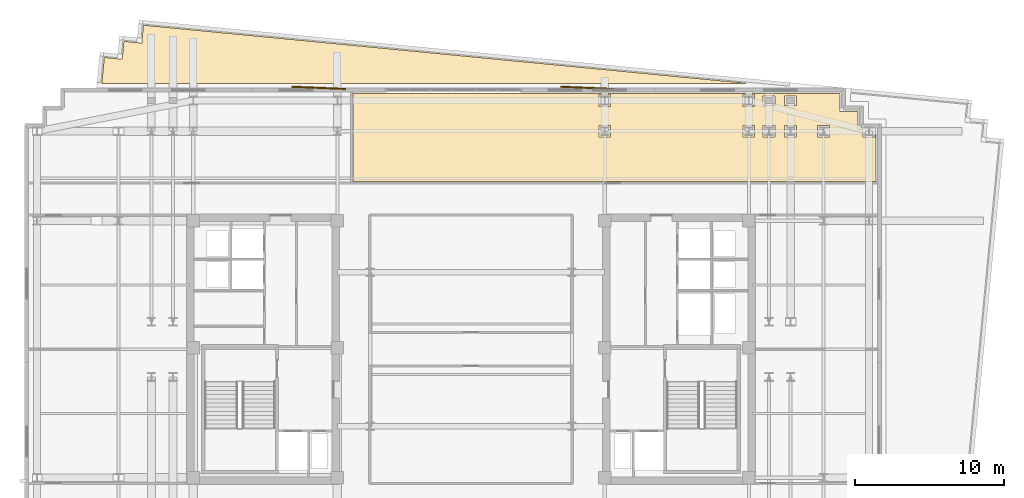
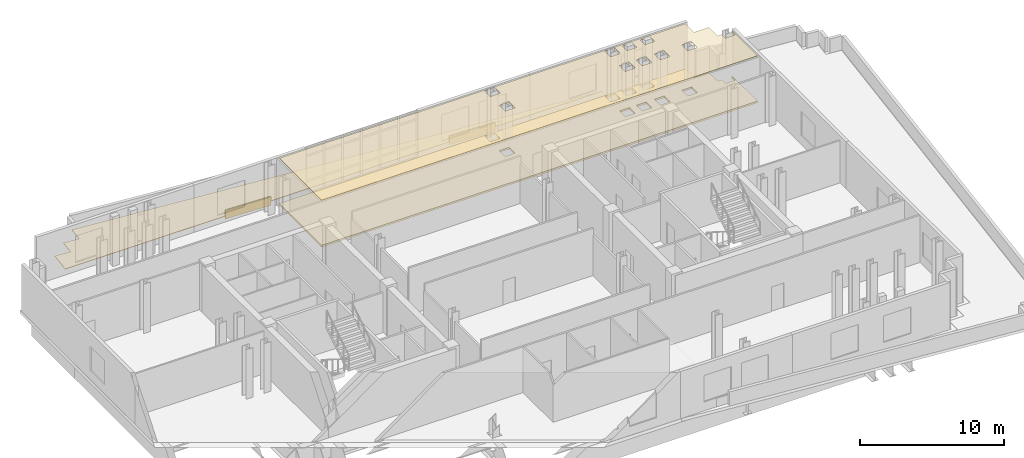
# One storey, part 11 of 11: 5 coverings.
"""IFC4 building model written with IfcOpenShell, lengths in metres."""

from ifc_helpers import new_model, si_unit, direction, frame, origin, origin_2d, place, context, subcontext, project, spatial, polyline, rectangle, outline, extrude, material, layer, layer_set, type_object, element, save


model = new_model("IFC4")

# Units and contexts
model_context = context("Model", 3, precision=1e-05, world=origin(), true_north=direction((0.0, 1.0)))
body_context = subcontext(model_context, "Body", "Model", "MODEL_VIEW")
ifc_project = project(units=[si_unit("LENGTHUNIT", "METRE"), si_unit("AREAUNIT", "SQUARE_METRE"), si_unit("VOLUMEUNIT", "CUBIC_METRE"), si_unit("PLANEANGLEUNIT", "RADIAN"), si_unit("MASSUNIT", "GRAM", prefix="KILO")], contexts=[model_context])

# Site, building, storey
site_placement = place(None, origin())
site = spatial("IfcSite", under=ifc_project, at=site_placement, CompositionType="ELEMENT")
building_placement = place(site_placement, origin())
building = spatial("IfcBuilding", under=site, at=building_placement, Name="Velakula Bourse", CompositionType="ELEMENT")
storey_placement = place(building_placement, frame((0.0, 0.0, 204.300048828125)))
storey = spatial("IfcBuildingStorey", under=building, at=storey_placement, Name="L55", CompositionType="ELEMENT", Elevation=204.300048828125)

# Coverings
ifc_material_1 = material(Name="Red kilned clay facing brick masonry", Category="masonry")
ifc_layer_1 = layer(ifc_material_1, 0.090087890625, Name="Red kilned clay facing brick masonry", Category="masonry")
ifc_layer_set_1 = layer_set([ifc_layer_1], Name="Red kilned clay facing brick masonry")
covering_type_1 = type_object("IfcCoveringType", Name="COV-BRK-FOLD-90", PredefinedType="CLADDING", material=ifc_layer_set_1)
for number, where, z_axis, x_axis, name in (
    (1, (-10.199951171875, 17.5, 0.0), (0.0, 0.0, 1.0), (0.999158993058, -0.041003738744, 0.0), "L55 Folded Brick Facade Cladding Panel N-B2"),
    (2, (7.800048828125, 17.5, 0.0), (0.0, 0.0, 1.0), (0.999158993058, -0.041003738744, 0.0), "L55 Folded Brick Facade Cladding Panel N-B4"),
):
    element("IfcCovering", number, at=place(storey_placement, frame(where, z_axis=z_axis, x_axis=x_axis)), inside=storey, type_object=covering_type_1, Name=name, PredefinedType="CLADDING", context=body_context, shape_type="SweptSolid", body=[
        extrude(rectangle(XDim=3.60009765625, YDim=0.090087890625, at=origin_2d()), origin(), (0.0, 0.0, 1.0), 0.719970703125),
    ])
ifc_material_2 = material(Name="Mineral-fibre acoustic suspended ceiling tile", Category="mineral")
ifc_layer_2 = layer(ifc_material_2, 0.0400390625, Name="Mineral-fibre acoustic suspended ceiling tile", Category="mineral")
ifc_layer_set_2 = layer_set([ifc_layer_2], Name="Mineral-fibre acoustic suspended ceiling tile")
covering_type_2 = type_object("IfcCoveringType", Name="COV-CEIL-AC-40", PredefinedType="CEILING", material=ifc_layer_set_2)
covering_1_placement = place(storey_placement, frame((0.0, 0.0, 3.949951171875)))
element("IfcCovering", 3, at=covering_1_placement, inside=storey, type_object=covering_type_2, Name="L55 Training Classroom Acoustic Suspended Ceiling", PredefinedType="CEILING", context=body_context, shape_type="SweptSolid", body=[
    extrude(outline(polyline([(24.719970703125, 15.919921875), (25.919921875, 15.919921875), (25.919921875, 14.719970703125), (26.2548828125, 14.719970703125), (26.2548828125, 14.205078125), (27.044921875, 14.205078125), (27.044921875, 14.719970703125), (27.1201171875, 14.719970703125), (27.1201171875, 11.22998046875), (-7.906005859375, 11.22998046875), (-7.906005859375, 17.1201171875), (24.719970703125, 17.1201171875), (24.719970703125, 15.919921875)]), holes=[polyline([(8.554931640625, 14.205078125), (9.344970703125, 14.205078125), (9.344970703125, 14.9951171875), (8.554931640625, 14.9951171875), (8.554931640625, 14.205078125)]), polyline([(18.205078125, 14.9951171875), (18.205078125, 14.205078125), (18.9951171875, 14.205078125), (18.9951171875, 14.9951171875), (18.205078125, 14.9951171875)]), polyline([(8.554931640625, 16.2548828125), (9.344970703125, 16.2548828125), (9.344970703125, 17.044921875), (8.554931640625, 17.044921875), (8.554931640625, 16.2548828125)]), polyline([(21.0048828125, 14.205078125), (21.794921875, 14.205078125), (21.794921875, 14.9951171875), (21.0048828125, 14.9951171875), (21.0048828125, 14.205078125)]), polyline([(23.205078125, 14.205078125), (23.9951171875, 14.205078125), (23.9951171875, 14.9951171875), (23.205078125, 14.9951171875), (23.205078125, 14.205078125)]), polyline([(19.554931640625, 14.205078125), (20.344970703125, 14.205078125), (20.344970703125, 14.9951171875), (19.554931640625, 14.9951171875), (19.554931640625, 14.205078125)]), polyline([(19.554931640625, 16.330078125), (20.344970703125, 16.330078125), (20.344970703125, 16.969970703125), (19.554931640625, 16.969970703125), (19.554931640625, 16.330078125)]), polyline([(18.205078125, 17.044921875), (18.205078125, 16.2548828125), (18.9951171875, 16.2548828125), (18.9951171875, 17.044921875), (18.205078125, 17.044921875)]), polyline([(21.0048828125, 16.969970703125), (21.0048828125, 16.330078125), (21.794921875, 16.330078125), (21.794921875, 16.969970703125), (21.0048828125, 16.969970703125)])]), origin(), (0.0, 0.0, 1.0), 0.0400390625),
])
ifc_material_3 = material(Name="Calcium-sulphate antistatic raised access flooring", Category="gypsum")
ifc_layer_3 = layer(ifc_material_3, 0.14990234375, Name="Calcium-sulphate antistatic raised access flooring", Category="gypsum")
ifc_layer_set_3 = layer_set([ifc_layer_3], Name="Calcium-sulphate antistatic raised access flooring")
covering_type_3 = type_object("IfcCoveringType", Name="COV-FLR-RAISED-150", PredefinedType="FLOORING", material=ifc_layer_set_3)
covering_2_placement = place(storey_placement, origin())
element("IfcCovering", 4, at=covering_2_placement, inside=storey, type_object=covering_type_3, Name="L55 Training Classroom Raised Trading Access Floor", PredefinedType="FLOORING", context=body_context, shape_type="SweptSolid", body=[
    extrude(outline(polyline([(24.719970703125, 15.919921875), (25.919921875, 15.919921875), (25.919921875, 14.719970703125), (26.2548828125, 14.719970703125), (26.2548828125, 14.205078125), (27.044921875, 14.205078125), (27.044921875, 14.719970703125), (27.1201171875, 14.719970703125), (27.1201171875, 11.22998046875), (-7.906005859375, 11.22998046875), (-7.906005859375, 17.1201171875), (24.719970703125, 17.1201171875), (24.719970703125, 15.919921875)]), holes=[polyline([(8.554931640625, 14.205078125), (9.344970703125, 14.205078125), (9.344970703125, 14.9951171875), (8.554931640625, 14.9951171875), (8.554931640625, 14.205078125)]), polyline([(18.205078125, 14.9951171875), (18.205078125, 14.205078125), (18.9951171875, 14.205078125), (18.9951171875, 14.9951171875), (18.205078125, 14.9951171875)]), polyline([(8.554931640625, 16.2548828125), (9.344970703125, 16.2548828125), (9.344970703125, 17.044921875), (8.554931640625, 17.044921875), (8.554931640625, 16.2548828125)]), polyline([(21.0048828125, 14.205078125), (21.794921875, 14.205078125), (21.794921875, 14.9951171875), (21.0048828125, 14.9951171875), (21.0048828125, 14.205078125)]), polyline([(23.205078125, 14.205078125), (23.9951171875, 14.205078125), (23.9951171875, 14.9951171875), (23.205078125, 14.9951171875), (23.205078125, 14.205078125)]), polyline([(19.554931640625, 14.205078125), (20.344970703125, 14.205078125), (20.344970703125, 14.9951171875), (19.554931640625, 14.9951171875), (19.554931640625, 14.205078125)]), polyline([(19.554931640625, 16.330078125), (20.344970703125, 16.330078125), (20.344970703125, 16.969970703125), (19.554931640625, 16.969970703125), (19.554931640625, 16.330078125)]), polyline([(18.205078125, 17.044921875), (18.205078125, 16.2548828125), (18.9951171875, 16.2548828125), (18.9951171875, 17.044921875), (18.205078125, 17.044921875)]), polyline([(21.0048828125, 16.969970703125), (21.0048828125, 16.330078125), (21.794921875, 16.330078125), (21.794921875, 16.969970703125), (21.0048828125, 16.969970703125)])]), origin(), (0.0, 0.0, 1.0), 0.14990234375),
])
ifc_material_4 = material(Name="Modified bitumen SBS waterproofing membrane", Category="bitumen")
ifc_layer_4 = layer(ifc_material_4, 0.044921875, Name="Modified bitumen SBS waterproofing membrane", Category="bitumen")
ifc_layer_set_4 = layer_set([ifc_layer_4], Name="Modified bitumen SBS waterproofing membrane")
covering_type_4 = type_object("IfcCoveringType", Name="COV-ROOF-SBS-45", PredefinedType="ROOFING", material=ifc_layer_set_4)
covering_3_placement = place(storey_placement, origin())
element("IfcCovering", 5, at=covering_3_placement, inside=storey, type_object=covering_type_4, Name="L55 SBS Waterproofing Roof Membrane 1", PredefinedType="ROOFING", context=body_context, shape_type="SweptSolid", body=[
    extrude(outline(polyline([(-24.547607421875, 19.53662109375), (-23.35302734375, 19.42138671875), (-23.238037109375, 20.615966796875), (-22.043701171875, 20.5009765625), (-21.9287109375, 21.6953125), (18.5263671875, 17.800048828125), (-24.71484375, 17.800048828125), (-24.547607421875, 19.53662109375)])), origin(), (0.0, 0.0, 1.0), 0.044921875),
])

save(model, "model.ifc")
